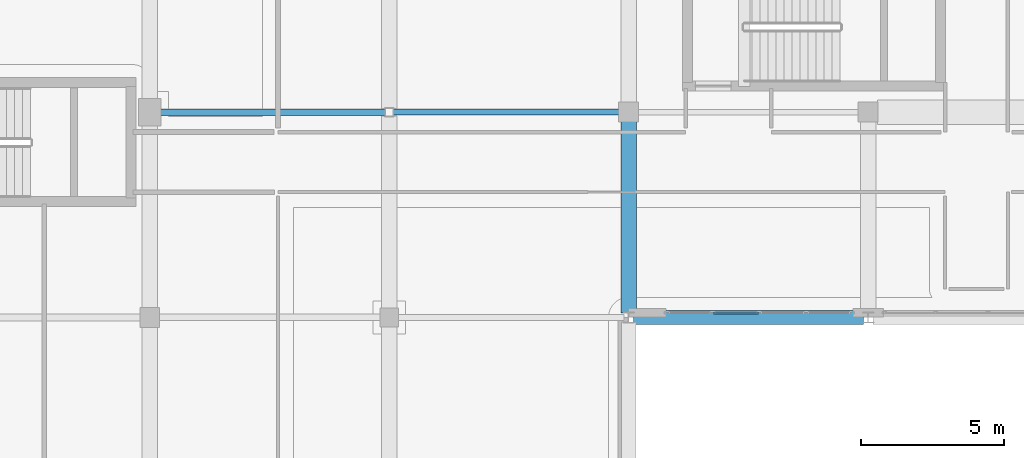
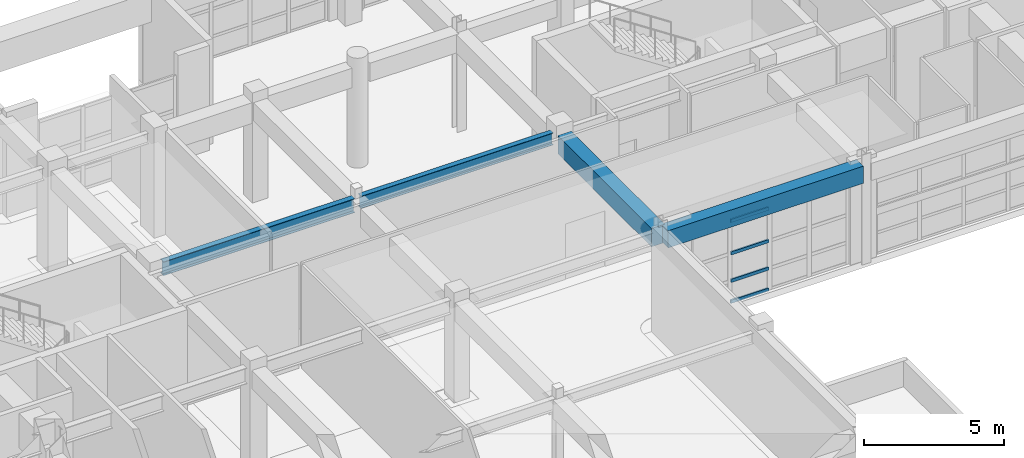
# One storey, part 59 of 123: 4 beams, 4 members, 1 element without a shape of its own.
"""IFC4 building model written with IfcOpenShell, lengths in metres."""

from ifc_helpers import new_model, si_unit, direction, frame, origin, origin_2d, place, context, subcontext, project, spatial, rectangle, hollow_rectangle, i_section, extrude, material, layer, layer_set, material_profile, profile_set, type_object, element, aggregate, save


model = new_model("IFC4")

# Units and contexts
model_context = context("Model", 3, precision=1e-05, world=origin(), true_north=direction((0.0, 1.0)))
body_context = subcontext(model_context, "Body", "Model", "MODEL_VIEW")
ifc_project = project(units=[si_unit("LENGTHUNIT", "METRE"), si_unit("AREAUNIT", "SQUARE_METRE"), si_unit("VOLUMEUNIT", "CUBIC_METRE"), si_unit("PLANEANGLEUNIT", "RADIAN"), si_unit("MASSUNIT", "GRAM", prefix="KILO")], contexts=[model_context])

# Site, building, storey
site_placement = place(None, origin())
site = spatial("IfcSite", under=ifc_project, at=site_placement, CompositionType="ELEMENT")
building_placement = place(site_placement, origin())
building = spatial("IfcBuilding", under=site, at=building_placement, Name="Quendrovan Civic Courthouse", CompositionType="ELEMENT")
storey_placement = place(building_placement, frame((0.0, 0.0, 5.39990234375)))
storey = spatial("IfcBuildingStorey", under=building, at=storey_placement, Name="L02", CompositionType="ELEMENT", Elevation=5.39990234375)

# Beams
ifc_material_1 = material(Name="Concrete C40/50", Category="concrete")
ifc_material_profile_1 = material_profile(ifc_material_1, rectangle(XDim=0.5, YDim=0.75, at=origin_2d()), Name="RC-BM-500x750")
ifc_profile_set_1 = profile_set([ifc_material_profile_1], Name="Concrete C40/50")
beam_type_1 = type_object("IfcBeamType", Name="BM-RC750", PredefinedType="SPANDREL", material=ifc_profile_set_1)
beam_1_placement = place(storey_placement, frame((109.366943359375, 87.60009765625, 3.985107421875), z_axis=(1.0, 0.0, 0.0), x_axis=(0.0, 1.0, 0.0)))
element("IfcBeam", 1, at=beam_1_placement, inside=storey, type_object=beam_type_1, Name="L02 Girder X0560", PredefinedType="SPANDREL", context=body_context, shape_type="SweptSolid", body=[
    extrude(rectangle(XDim=0.5, YDim=0.75, at=origin_2d()), origin(), (0.0, 0.0, 1.0), 8.066162109375),
])
ifc_material_profile_2 = material_profile(ifc_material_1, rectangle(XDim=0.550048828125, YDim=0.800048828125, at=origin_2d()), Name="RC-BM-550x800")
ifc_profile_set_2 = profile_set([ifc_material_profile_2], Name="Concrete C40/50")
beam_type_2 = type_object("IfcBeamType", Name="BM-RC800", PredefinedType="BEAM", material=ifc_profile_set_2)
beam_2_placement = place(storey_placement, frame((109.199951171875, 87.76611328125, 3.960205078125), z_axis=(0.0, 1.0, 0.0), x_axis=(-1.0, 0.0, 0.0)))
element("IfcBeam", 2, at=beam_2_placement, inside=storey, type_object=beam_type_2, Name="L02 Girder Y0693", PredefinedType="BEAM", context=body_context, shape_type="SweptSolid", body=[
    extrude(rectangle(XDim=0.550048828125, YDim=0.800048828125, at=origin_2d()), origin(), (0.0, 0.0, 1.0), 6.703857421875),
])
ifc_material_2 = material(Name="Steel ASTM A992 Grade 50", Category="steel")
ifc_material_profile_3 = material_profile(ifc_material_2, i_section(OverallWidth=0.208984375, OverallDepth=0.532958984375, WebThickness=0.01025390625, FlangeThickness=0.015625, at=origin_2d()), Name="W21X62")
ifc_profile_set_3 = profile_set([ifc_material_profile_3], Name="Steel ASTM A992 Grade 50")
beam_type_3 = type_object("IfcBeamType", Name="BM-STL-W21", PredefinedType="JOIST", material=ifc_profile_set_3)
beam_3_placement = place(storey_placement, frame((100.929931640625, 94.800048828125, 4.093505859375), z_axis=(1.0, 0.0, 0.0), x_axis=(0.0, 1.0, 0.0)))
element("IfcBeam", 3, at=beam_3_placement, inside=storey, type_object=beam_type_3, Name="L02 Girder X0569", PredefinedType="JOIST", context=body_context, shape_type="SweptSolid", body=[
    extrude(i_section(OverallWidth=0.208984375, OverallDepth=0.532958984375, WebThickness=0.01025390625, FlangeThickness=0.015625, at=origin_2d()), origin(), (0.0, 0.0, 1.0), 7.940185546875),
])
ifc_material_profile_4 = material_profile(ifc_material_2, i_section(OverallWidth=0.22802734375, OverallDepth=0.60693359375, WebThickness=0.01123046875, FlangeThickness=0.017333984375, at=origin_2d()), Name="W24X76")
ifc_profile_set_4 = profile_set([ifc_material_profile_4], Name="Steel ASTM A992 Grade 50")
beam_type_4 = type_object("IfcBeamType", Name="BM-STL-W24", PredefinedType="BEAM", material=ifc_profile_set_4)
beam_4_placement = place(storey_placement, frame((92.780029296875, 94.800048828125, 4.056640625), z_axis=(1.0, 0.0, 0.0), x_axis=(0.0, 1.0, 0.0)))
element("IfcBeam", 4, at=beam_4_placement, inside=storey, type_object=beam_type_4, Name="L02 Girder X0568", PredefinedType="BEAM", context=body_context, shape_type="SweptSolid", body=[
    extrude(i_section(OverallWidth=0.22802734375, OverallDepth=0.60693359375, WebThickness=0.01123046875, FlangeThickness=0.017333984375, at=origin_2d()), origin(), (0.0, 0.0, 1.0), 7.889892578125),
])

# Curtain wall, members
ifc_material_3 = material(Name="Bronze anodised aluminium and low-E glass", Category="aluminium")
ifc_layer = layer(ifc_material_3, 0.179931640625, Name="Bronze anodised aluminium and low-E glass")
ifc_layer_set = layer_set([ifc_layer], Name="Bronze anodised aluminium and low-E glass")
curtain_wall_type = type_object("IfcCurtainWallType", Name="CW-U66x36", PredefinedType="USERDEFINED", material=ifc_layer_set)
curtain_wall_placement = place(storey_placement, origin())
curtain_wall = element("IfcCurtainWall", 5, at=curtain_wall_placement, inside=storey, type_object=curtain_wall_type, Name="L02 Unitised Hurricane Curtain Wall CW-104", ObjectType="UNITISED CURTAIN WALL", PredefinedType="USERDEFINED")
ifc_material_4 = material(Name="Bronze anodised aluminium", Category="aluminium")
ifc_material_profile_5 = material_profile(ifc_material_4, hollow_rectangle(XDim=0.070068359375, YDim=0.139892578125, WallThickness=0.00390625, at=origin_2d()), Name="CW-TRAN-70x140")
ifc_profile_set_5 = profile_set([ifc_material_profile_5], Name="Bronze anodised aluminium")
member_type = type_object("IfcMemberType", Name="CW-TRAN-A", PredefinedType="USERDEFINED", material=ifc_profile_set_5)
member_1_placement = place(storey_placement, frame((113.74658203125, 87.764892578125, 0.03515625), z_axis=(-1.0, 0.0, 0.0), x_axis=(0.0, -1.0, 0.0)))
member_1 = element("IfcMember", 6, at=member_1_placement, type_object=member_type, Name="CW-104 transom 3.1", ObjectType="TRANSOM", PredefinedType="USERDEFINED", context=body_context, shape_type="SweptSolid", body=[
    extrude(hollow_rectangle(XDim=0.070068359375, YDim=0.139892578125, WallThickness=0.00390625, at=origin_2d()), origin(), (0.0, 0.0, 1.0), 1.57080078125),
])
member_2_placement = place(storey_placement, frame((113.74658203125, 87.764892578125, 0.9501953125), z_axis=(-1.0, 0.0, 0.0), x_axis=(0.0, -1.0, 0.0)))
member_2 = element("IfcMember", 7, at=member_2_placement, type_object=member_type, Name="CW-104 transom 3.2", ObjectType="TRANSOM", PredefinedType="USERDEFINED", context=body_context, shape_type="SweptSolid", body=[
    extrude(hollow_rectangle(XDim=0.070068359375, YDim=0.139892578125, WallThickness=0.00390625, at=origin_2d()), origin(), (0.0, 0.0, 1.0), 1.57080078125),
])
member_3_placement = place(storey_placement, frame((113.74658203125, 87.764892578125, 2.150146484375), z_axis=(-1.0, 0.0, 0.0), x_axis=(0.0, -1.0, 0.0)))
member_3 = element("IfcMember", 8, at=member_3_placement, type_object=member_type, Name="CW-104 transom 3.3", ObjectType="TRANSOM", PredefinedType="USERDEFINED", context=body_context, shape_type="SweptSolid", body=[
    extrude(hollow_rectangle(XDim=0.070068359375, YDim=0.139892578125, WallThickness=0.00390625, at=origin_2d()), origin(), (0.0, 0.0, 1.0), 1.57080078125),
])
member_4_placement = place(storey_placement, frame((113.74658203125, 87.764892578125, 3.565185546875), z_axis=(-1.0, 0.0, 0.0), x_axis=(0.0, -1.0, 0.0)))
member_4 = element("IfcMember", 9, at=member_4_placement, type_object=member_type, Name="CW-104 transom 3.4", ObjectType="TRANSOM", PredefinedType="USERDEFINED", context=body_context, shape_type="SweptSolid", body=[
    extrude(hollow_rectangle(XDim=0.070068359375, YDim=0.139892578125, WallThickness=0.00390625, at=origin_2d()), origin(), (0.0, 0.0, 1.0), 1.57080078125),
])
aggregate(curtain_wall, [member_1, member_2, member_3, member_4])

save(model, "model.ifc")
